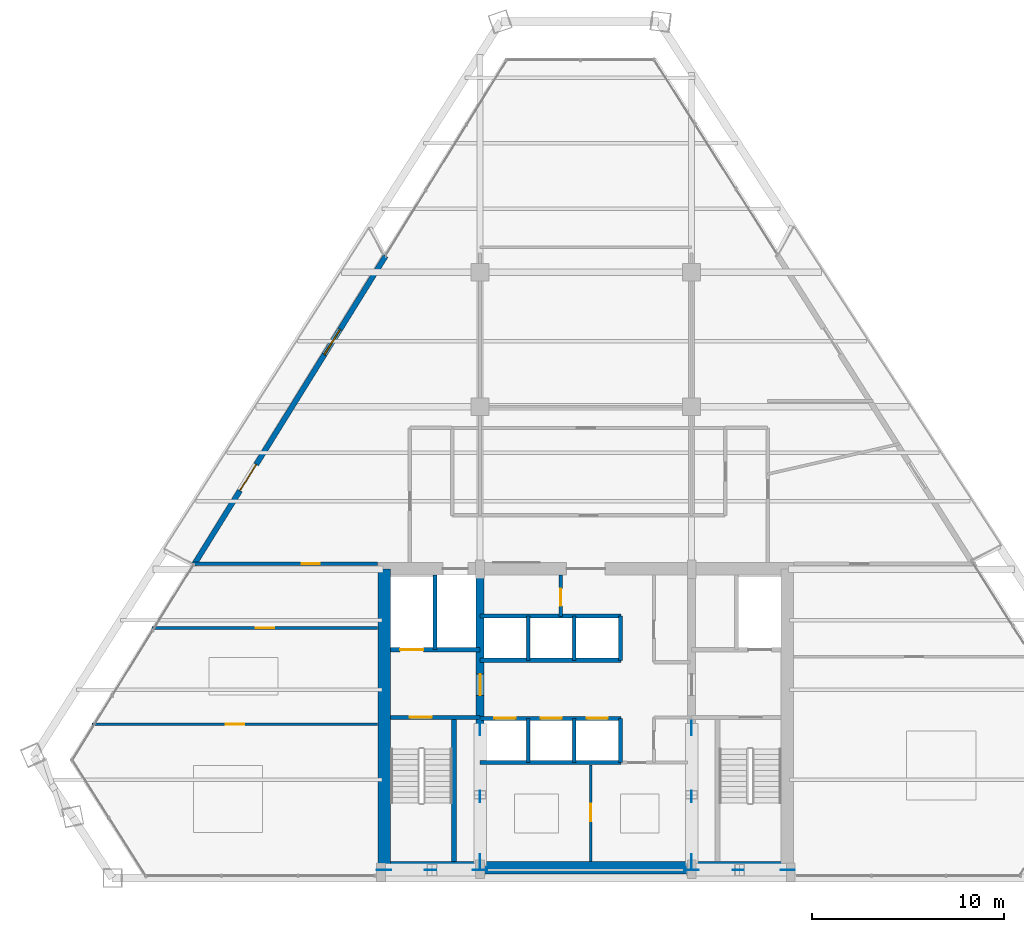
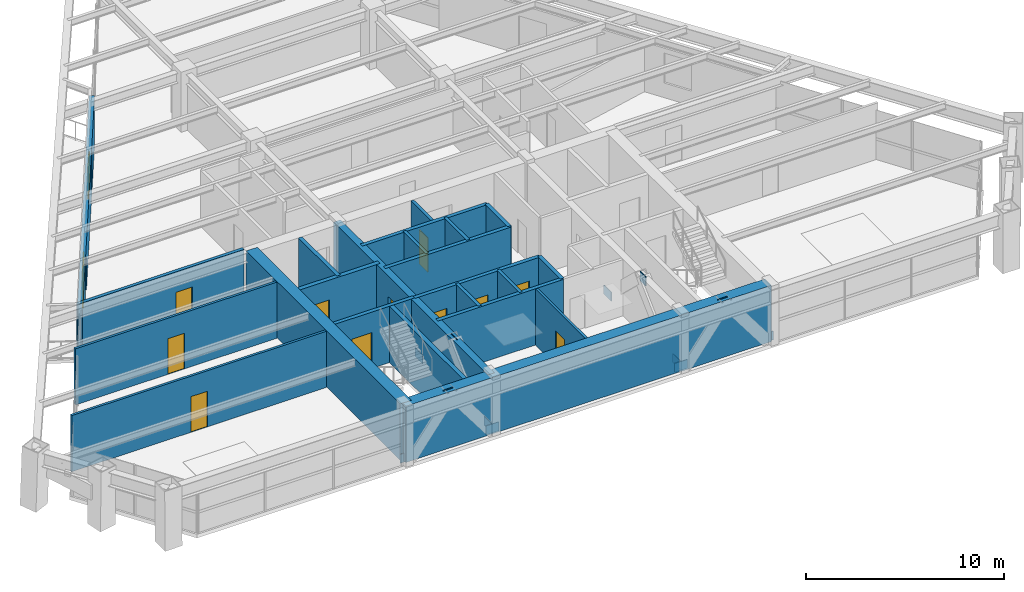
# One storey, part 11 of 15: 23 walls, 12 doors, 12 plates, 1 window, 13 openings.
"""IFC4 building model written with IfcOpenShell, lengths in metres."""

import ifcopenshell
import ifcopenshell.guid

model = None  # the IFC model being written
_history = None  # IfcOwnerHistory: only IFC2X3 demands one
_inside = {}  # id of a spatial element -> (the spatial element, [elements in it])
_under = {}  # id of a project, library or spatial element -> (it, [spatial elements below it])
_declared = {}  # id of a project -> (the project, [libraries it declares])
_typed = {}  # id of a type object -> (the type object, [elements of that type])
_made_of = {}  # id of a material, layer set ... -> (it, [elements and type objects made of it])


def new_model(schema):
    """Start an empty IFC model of exactly this schema.

    Asked for "IFC4X3", IfcOpenShell would pick the latest addendum, in which some entities
    have other attributes; the version numbers below select the first issue.
    IFC2X3 requires an IfcOwnerHistory on every rooted entity: one is made here for all.
    """
    global model, _history
    if schema == "IFC4X3":
        model = ifcopenshell.file(schema_version=(4, 3, 0, 0))
    else:
        model = ifcopenshell.file(schema=schema)
    _inside.clear()
    _under.clear()
    _declared.clear()
    _typed.clear()
    _made_of.clear()
    _history = None
    if model.schema == "IFC2X3":
        org = make("IfcOrganization", Name="unknown")
        user = make(
            "IfcPersonAndOrganization",
            ThePerson=make("IfcPerson", FamilyName="unknown"),
            TheOrganization=org,
        )
        app = make(
            "IfcApplication",
            ApplicationDeveloper=org,
            Version="unknown",
            ApplicationFullName="unknown",
            ApplicationIdentifier="unknown",
        )
        _history = make(
            "IfcOwnerHistory",
            OwningUser=user,
            OwningApplication=app,
            ChangeAction="ADDED",
            CreationDate=0,
        )
    return model


def make(cls, **values):
    """One entity of the class cls with the attributes given. An attribute that is None is left unset."""
    return model.create_entity(
        cls, **{name: value for name, value in values.items() if value is not None}
    )


def rooted(cls, **values):
    """An entity with a GlobalId (a new one), such as an element, a storey or a relation."""
    return make(cls, GlobalId=ifcopenshell.guid.new(), OwnerHistory=_history, **values)


def si_unit(unit_type, name, prefix=None):
    """IfcSIUnit, for example si_unit("LENGTHUNIT", "METRE", prefix="MILLI")."""
    return make("IfcSIUnit", UnitType=unit_type, Prefix=prefix, Name=name)


def assignment(units):
    """IfcUnitAssignment: the units of a project."""
    return None if units is None else make("IfcUnitAssignment", Units=units)


def point(xyz):
    """IfcCartesianPoint."""
    return None if xyz is None else make("IfcCartesianPoint", Coordinates=xyz)


def direction(xyz):
    """IfcDirection."""
    return None if xyz is None else make("IfcDirection", DirectionRatios=xyz)


def frame(location, z_axis=None, x_axis=None):
    """IfcAxis2Placement3D, a coordinate frame: its origin and axes. An axis left out is left unset."""
    return make(
        "IfcAxis2Placement3D",
        Location=point(location),
        Axis=direction(z_axis),
        RefDirection=direction(x_axis),
    )


def frame_2d(location, x_axis=None):
    """IfcAxis2Placement2D, a coordinate frame in the plane: its origin and x axis."""
    return make(
        "IfcAxis2Placement2D", Location=point(location), RefDirection=direction(x_axis)
    )


def origin():
    """The frame at (0, 0, 0) with its axes left unset."""
    return frame((0.0, 0.0, 0.0))


def origin_2d():
    """The frame at (0, 0) in the plane with its x axis left unset."""
    return frame_2d((0.0, 0.0))


def place(relative_to, where):
    """IfcLocalPlacement: puts the frame where relative to a parent placement (None: the world)."""
    return make(
        "IfcLocalPlacement", PlacementRelTo=relative_to, RelativePlacement=where
    )


def context(
    kind, dimensions, precision=None, world=None, true_north=None, identifier=None
):
    """IfcGeometricRepresentationContext, for example the 3D "Model" context."""
    return make(
        "IfcGeometricRepresentationContext",
        ContextIdentifier=identifier,
        ContextType=kind,
        CoordinateSpaceDimension=dimensions,
        Precision=precision,
        WorldCoordinateSystem=world,
        TrueNorth=true_north,
    )


def subcontext(parent, identifier, kind, view, scale=None):
    """IfcGeometricRepresentationSubContext, for example "Body" below "Model"."""
    return make(
        "IfcGeometricRepresentationSubContext",
        ContextIdentifier=identifier,
        ContextType=kind,
        ParentContext=parent,
        TargetScale=scale,
        TargetView=view,
    )


def project(units=None, contexts=None):
    """IfcProject with its units and contexts."""
    return rooted(
        "IfcProject",
        Name="project",
        RepresentationContexts=contexts,
        UnitsInContext=assignment(units),
    )


def spatial(cls, under=None, at=None, **own):
    """A site, building, storey or space (cls), placed at a placement, below another one or the project."""
    s = rooted(cls, ObjectPlacement=at, **own)
    if under is not None:
        _under.setdefault(under.id(), (under, []))[1].append(s)
    return s


def profile(cls, at=None, kind="AREA", **sizes):
    """A parametric profile (cls). Its sizes go by their IFC names, for example OverallWidth=200.0."""
    return make(cls, ProfileType=kind, Position=at, **sizes)


def rectangle(**sizes):
    """IfcRectangleProfileDef."""
    return profile("IfcRectangleProfileDef", **sizes)


def extrude(swept, where, along, depth):
    """IfcExtrudedAreaSolid: the profile swept, set in the frame where, extruded along a direction by depth."""
    return make(
        "IfcExtrudedAreaSolid",
        SweptArea=swept,
        Position=where,
        ExtrudedDirection=direction(along),
        Depth=depth,
    )


def shape(context_of_items, identifier, shape_type, items):
    """IfcShapeRepresentation: the items that make up one representation, for example the "Body"."""
    return make(
        "IfcShapeRepresentation",
        ContextOfItems=context_of_items,
        RepresentationIdentifier=identifier,
        RepresentationType=shape_type,
        Items=items,
    )


def source(mapping_origin, context_of_items, identifier, shape_type, items):
    """IfcRepresentationMap: a shape defined once, which mapped items show again and again."""
    return make(
        "IfcRepresentationMap",
        MappingOrigin=mapping_origin,
        MappedRepresentation=shape(context_of_items, identifier, shape_type, items),
    )


def transform(
    local_origin,
    x_axis=None,
    y_axis=None,
    z_axis=None,
    scale=None,
    scale2=None,
    scale3=None,
    uniform=True,
):
    """IfcCartesianTransformationOperator3D, or its non-uniform kind. x_axis, y_axis, z_axis: its Axis1, 2, 3."""
    if uniform:
        return make(
            "IfcCartesianTransformationOperator3D",
            Axis1=direction(x_axis),
            Axis2=direction(y_axis),
            LocalOrigin=point(local_origin),
            Scale=scale,
            Axis3=direction(z_axis),
        )
    return make(
        "IfcCartesianTransformationOperator3DnonUniform",
        Axis1=direction(x_axis),
        Axis2=direction(y_axis),
        LocalOrigin=point(local_origin),
        Scale=scale,
        Axis3=direction(z_axis),
        Scale2=scale2,
        Scale3=scale3,
    )


def mapped(mapping_source, mapping_target):
    """IfcMappedItem: shows the shape of a source again, moved by a transform."""
    return make(
        "IfcMappedItem", MappingSource=mapping_source, MappingTarget=mapping_target
    )


def material(Name=None, Category=None):
    """IfcMaterial."""
    return make("IfcMaterial", Name=Name, Category=Category)


def layer(
    of_material, thickness, ventilated=None, Name=None, Category=None, Priority=None
):
    """IfcMaterialLayer: one layer of a wall or slab, of a material (None: an air gap)."""
    return make(
        "IfcMaterialLayer",
        Material=of_material,
        LayerThickness=thickness,
        IsVentilated=ventilated,
        Name=Name,
        Category=Category,
        Priority=Priority,
    )


def layer_set(layers, Name=None):
    """IfcMaterialLayerSet."""
    return make("IfcMaterialLayerSet", MaterialLayers=layers, LayerSetName=Name)


def made_of(thing, what):
    """Note that an element or type object is made of a material, layer set ...; save() writes the relation."""
    if what is not None:
        _made_of.setdefault(what.id(), (what, []))[1].append(thing)
    return thing


def type_object(cls, material=None, **own):
    """A type object (cls), such as IfcWallType, which elements share."""
    return made_of(rooted(cls, **own), material)


def type_shapes(of_type, sources):
    """Give a type object the sources (RepresentationMaps) that its elements show as mapped items."""
    of_type.RepresentationMaps = sources


def element(
    cls,
    number,
    at=None,
    inside=None,
    cuts=None,
    type_object=None,
    material=None,
    context=None,
    identifier="Body",
    shape_type=None,
    held_by="IfcProductDefinitionShape",
    body=None,
    shapes=None,
    **own,
):
    """One element of the class cls, such as IfcWall. Its Tag is "e" and its number.

    at: its placement. inside: the storey or other place that contains it. cuts: it is an
    opening in that element (IfcRelVoidsElement). A single representation is given by context,
    identifier, shape_type and body (its items); several are given by shapes. held_by: the class
    of the entity that holds the representations. save() writes the other relations.
    """
    e = rooted(cls, Tag="e%d" % number, ObjectPlacement=at, **own)
    if body is not None:
        shapes = [shape(context, identifier, shape_type, body)]
    if shapes is not None:
        e.Representation = make(held_by, Representations=shapes)
    if inside is not None:
        _inside.setdefault(inside.id(), (inside, []))[1].append(e)
    if cuts is not None:
        rooted(
            "IfcRelVoidsElement", RelatingBuildingElement=cuts, RelatedOpeningElement=e
        )
    if type_object is not None:
        _typed.setdefault(type_object.id(), (type_object, []))[1].append(e)
    return made_of(e, material)


def fill(opening, filler):
    """IfcRelFillsElement: the door or window that sits in an opening."""
    return rooted(
        "IfcRelFillsElement",
        RelatingOpeningElement=opening,
        RelatedBuildingElement=filler,
    )


def aggregate(whole, parts):
    """IfcRelAggregates: a whole, such as a stair, and the parts it consists of."""
    return rooted("IfcRelAggregates", RelatingObject=whole, RelatedObjects=parts)


def save(model, path):
    """Write the relations noted so far, then the file.

    IfcRelAggregates (storeys below a building ...), IfcRelContainedInSpatialStructure (elements
    in a storey), IfcRelDefinesByType, IfcRelAssociatesMaterial and IfcRelDeclares: one each for
    every whole, place, type object, material and project.
    """
    for whole, parts in _under.values():
        aggregate(whole, parts)
    for where, things in _inside.values():
        rooted(
            "IfcRelContainedInSpatialStructure",
            RelatedElements=things,
            RelatingStructure=where,
        )
    for kind, things in _typed.values():
        rooted("IfcRelDefinesByType", RelatedObjects=things, RelatingType=kind)
    for what, things in _made_of.values():
        rooted("IfcRelAssociatesMaterial", RelatedObjects=things, RelatingMaterial=what)
    for by, libraries in _declared.values():
        rooted("IfcRelDeclares", RelatingContext=by, RelatedDefinitions=libraries)
    model.write(path)


model = new_model("IFC4")

# Units and contexts
model_context = context("Model", 3, precision=1e-05, world=origin(), true_north=direction((0.0, 1.0)))
body_context = subcontext(model_context, "Body", "Model", "MODEL_VIEW")
ifc_project = project(units=[si_unit("LENGTHUNIT", "METRE"), si_unit("AREAUNIT", "SQUARE_METRE"), si_unit("VOLUMEUNIT", "CUBIC_METRE"), si_unit("PLANEANGLEUNIT", "RADIAN"), si_unit("MASSUNIT", "GRAM", prefix="KILO")], contexts=[model_context])

# Site, building, storey
site_placement = place(None, origin())
site = spatial("IfcSite", under=ifc_project, at=site_placement, CompositionType="ELEMENT")
building_placement = place(site_placement, origin())
building = spatial("IfcBuilding", under=site, at=building_placement, Name="Varnakhor Terracotta Tower", CompositionType="ELEMENT")
storey_placement = place(building_placement, frame((0.0, 0.0, 185.800048828125)))
storey = spatial("IfcBuildingStorey", under=building, at=storey_placement, Name="L47", CompositionType="ELEMENT", Elevation=185.800048828125)

# Plates
ifc_material_1 = material(Name="Steel S460", Category="steel")
ifc_layer_1 = layer(ifc_material_1, 0.050048828125, Name="Steel S460")
ifc_layer_set_1 = layer_set([ifc_layer_1], Name="Steel S460")
plate_type = type_object("IfcPlateType", Name="PLT-GUSSET-50", PredefinedType="USERDEFINED", material=ifc_layer_set_1)
shared_shape_1 = source(origin(), body_context, "Body", "SweptSolid", [
    extrude(rectangle(XDim=0.75, YDim=0.0400390625, at=origin_2d()), origin(), (0.0, 0.0, 1.0), 0.550048828125),
])
type_shapes(plate_type, [shared_shape_1])
for number, where, z_axis, x_axis, name in (
    (1, (-10.5, 0.419921875, -0.09521484375), (0.0, 0.0, 1.0), (1.0, 0.0, 0.0), "L47 Core Brace Embed Plate CSWA"),
    (2, (-5.5, 0.419921875, -0.09521484375), (0.0, 0.0, 1.0), (1.0, 0.0, 0.0), "L47 Core Brace Embed Plate CSWB"),
    (3, (5.5, 0.419921875, -0.09521484375), (0.0, 0.0, 1.0), (1.0, 0.0, 0.0), "L47 Core Brace Embed Plate CSEA"),
    (4, (10.5, 0.419921875, -0.09521484375), (0.0, 0.0, 1.0), (1.0, 0.0, 0.0), "L47 Core Brace Embed Plate CSEB"),
    (5, (-5.5, 0.85009765625, -0.09521484375), (0.0, 0.0, 1.0), (0.0, 1.0, 0.0), "L47 Core Brace Embed Plate CWWA"),
    (6, (-5.5, 7.800048828125, -0.09521484375), (0.0, 0.0, 1.0), (0.0, 1.0, 0.0), "L47 Core Brace Embed Plate CWWB"),
    (7, (5.5, 0.85009765625, -0.09521484375), (0.0, 0.0, 1.0), (0.0, 1.0, 0.0), "L47 Core Brace Embed Plate CWEA"),
    (8, (5.5, 7.800048828125, -0.09521484375), (0.0, 0.0, 1.0), (0.0, 1.0, 0.0), "L47 Core Brace Embed Plate CWEB"),
):
    element("IfcPlate", number, at=place(storey_placement, frame(where, z_axis=z_axis, x_axis=x_axis)), inside=storey, type_object=plate_type, Name=name, ObjectType="GUSSET PLATE", PredefinedType="USERDEFINED", context=body_context, shape_type="MappedRepresentation", body=[
        mapped(shared_shape_1, transform((0.0, 0.0, 0.0), scale=1.0)),
    ])
shared_shape_2 = source(origin(), body_context, "Body", "SweptSolid", [
    extrude(rectangle(XDim=0.580078125, YDim=0.0400390625, at=origin_2d()), origin(), (0.0, 0.0, 1.0), 0.580078125),
])
for number, where, z_axis, x_axis, name in (
    (9, (-8.072265625, 0.419921875, 2.93408203125), (0.0, 0.0, 1.0), (1.0, 0.0, 0.0), "L47 Brace End Connection Plate 180"),
    (10, (7.927734375, 0.419921875, 2.93408203125), (0.0, 0.0, 1.0), (1.0, 0.0, 0.0), "L47 Brace End Connection Plate 181"),
    (11, (-5.5, 4.23828125, 2.947021484375), (0.0, 0.0, 1.0), (0.0, 1.0, 0.0), "L47 Brace End Connection Plate 182"),
    (12, (5.5, 4.23828125, 2.947021484375), (0.0, 0.0, 1.0), (0.0, 1.0, 0.0), "L47 Brace End Connection Plate 183"),
):
    element("IfcPlate", number, at=place(storey_placement, frame(where, z_axis=z_axis, x_axis=x_axis)), inside=storey, type_object=plate_type, Name=name, ObjectType="GUSSET PLATE", PredefinedType="USERDEFINED", context=body_context, shape_type="MappedRepresentation", body=[
        mapped(shared_shape_2, transform((0.0, 0.0, 0.0), scale=1.0)),
    ])

# Walls
ifc_material_2 = material(Name="Concrete C50/60", Category="concrete")
ifc_layer_2 = layer(ifc_material_2, 0.64990234375, Name="Concrete C50/60")
ifc_layer_set_2 = layer_set([ifc_layer_2], Name="Concrete C50/60")
wall_type_1 = type_object("IfcWallType", Name="WAL-CORE-650", PredefinedType="SHEAR", material=ifc_layer_set_2)
wall_1_placement = place(storey_placement, frame((-10.64990234375, 0.52490234375, 0.0), z_axis=(0.0, 0.0, 1.0), x_axis=(1.0, 0.0, 0.0)))
element("IfcWall", 13, at=wall_1_placement, inside=storey, type_object=wall_type_1, Name="L47 South Core Shear Wall", PredefinedType="SHEAR", context=body_context, shape_type="SweptSolid", body=[
    extrude(rectangle(XDim=21.2998046875, YDim=0.64990234375, at=frame_2d((10.64990234375, 0.0))), origin(), (0.0, 0.0, 1.0), 3.469970703125),
])
wall_2_placement = place(storey_placement, frame((-10.47509765625, 0.52490234375, 0.0), z_axis=(0.0, 0.0, 1.0), x_axis=(0.0, 1.0, 0.0)))
element("IfcWall", 14, at=wall_2_placement, inside=storey, type_object=wall_type_1, Name="L47 West Core Shear Wall", PredefinedType="SHEAR", context=body_context, shape_type="SweptSolid", body=[
    extrude(rectangle(XDim=15.550048828125, YDim=0.64990234375, at=frame_2d((7.77490234375, 0.0))), origin(), (0.0, 0.0, 1.0), 3.469970703125),
])

# Wall, opening, door
ifc_layer_3 = layer(ifc_material_2, 0.39990234375, Name="Concrete C50/60")
ifc_layer_set_3 = layer_set([ifc_layer_3], Name="Concrete C50/60")
wall_type_2 = type_object("IfcWallType", Name="WAL-CORE-WEB-400", PredefinedType="SHEAR", material=ifc_layer_set_3)
wall_3_placement = place(storey_placement, frame((-5.5, 0.52490234375, 0.0), z_axis=(0.0, 0.0, 1.0), x_axis=(0.0, 1.0, 0.0)))
wall_3 = element("IfcWall", 15, at=wall_3_placement, inside=storey, type_object=wall_type_2, Name="L47 West Core Web Shear Wall", PredefinedType="SHEAR", context=body_context, shape_type="SweptSolid", body=[
    extrude(rectangle(XDim=15.550048828125, YDim=0.39990234375, at=frame_2d((7.77490234375, 0.0))), origin(), (0.0, 0.0, 1.0), 3.469970703125),
])
opening_1_placement = place(wall_3_placement, frame((8.97509765625, 0.0, 0.0)))
opening_1 = element("IfcOpeningElement", 16, at=opening_1_placement, cuts=wall_3, Name="Opening DR-25", PredefinedType="OPENING", context=body_context, shape_type="SweptSolid", body=[
    extrude(rectangle(XDim=1.10009765625, YDim=2.199951171875, at=frame_2d((0.550048828125, 1.10009765625))), frame((0.0, 0.2099609375, 0.0), z_axis=(0.0, -1.0, 0.0), x_axis=(1.0, 0.0, 0.0)), (0.0, 0.0, 1.0), 0.419921875),
])
ifc_material_3 = material(Name="Firefighting Lobby Self-Closing Fire Door", Category="steel")
door_type_1 = type_object("IfcDoorType", Name="DR-FFL-1100X2200", OperationType="NOTDEFINED", PredefinedType="DOOR", material=ifc_material_3)
shared_shape_3 = source(origin(), body_context, "Body", "SweptSolid", [
    extrude(rectangle(XDim=1.10009765625, YDim=2.199951171875, at=frame_2d((0.550048828125, 1.10009765625))), frame((0.0, 0.02490234375, 0.0), z_axis=(0.0, -1.0, 0.0), x_axis=(1.0, 0.0, 0.0)), (0.0, 0.0, 1.0), 0.050048828125),
])
type_shapes(door_type_1, [shared_shape_3])
door_1_placement = place(opening_1_placement, origin())
door_1 = element("IfcDoor", 17, at=door_1_placement, inside=storey, type_object=door_type_1, Name="L47 West Firefighting Lobby Door", OperationType="SINGLE_SWING_LEFT", OverallHeight=2.199951171875, OverallWidth=1.10009765625, PredefinedType="DOOR", context=body_context, shape_type="MappedRepresentation", body=[
    mapped(shared_shape_3, transform((0.0, 0.0, 0.0), scale=1.0)),
])
fill(opening_1, door_1)

ifc_material_4 = material(Name="Fire-Rated Gypsum Stud Partition", Category="gypsum")
ifc_layer_4 = layer(ifc_material_4, 0.18505859375, Name="Fire-Rated Gypsum Stud Partition")
ifc_layer_set_4 = layer_set([ifc_layer_4], Name="Fire-Rated Gypsum Stud Partition")
wall_type_3 = type_object("IfcWallType", Name="WAL-CORR-185", PredefinedType="PARTITIONING", material=ifc_layer_set_4)
wall_4_placement = place(storey_placement, frame((-20.486083984375, 16.35009765625, 0.0), z_axis=(0.0, 0.0, 1.0), x_axis=(1.0, 0.0, 0.0)))
wall_4 = element("IfcWall", 18, at=wall_4_placement, inside=storey, type_object=wall_type_3, Name="L47 South West Entry Wall", PredefinedType="PARTITIONING", context=body_context, shape_type="SweptSolid", body=[
    extrude(rectangle(XDim=9.666015625, YDim=0.18505859375, at=frame_2d((4.8330078125, 0.0))), origin(), (0.0, 0.0, 1.0), 3.4619140625),
])
opening_2_placement = place(wall_4_placement, frame((5.7060546875, 0.0, 0.0)))
opening_2 = element("IfcOpeningElement", 19, at=opening_2_placement, cuts=wall_4, Name="Opening DR-94", PredefinedType="OPENING", context=body_context, shape_type="SweptSolid", body=[
    extrude(rectangle(XDim=0.949951171875, YDim=2.199951171875, at=frame_2d((0.47509765625, 1.10009765625))), frame((0.0, 0.1025390625, 0.0), z_axis=(0.0, -1.0, 0.0), x_axis=(1.0, 0.0, 0.0)), (0.0, 0.0, 1.0), 0.205078125),
])
ifc_material_5 = material(Name="Acoustic Glazed-Vision Timber Office Door", Category="wood")
door_type_2 = type_object("IfcDoorType", Name="DR-OFF-950X2200", OperationType="NOTDEFINED", PredefinedType="DOOR", material=ifc_material_5)
shared_shape_4 = source(origin(), body_context, "Body", "SweptSolid", [
    extrude(rectangle(XDim=0.949951171875, YDim=2.199951171875, at=frame_2d((0.47509765625, 1.10009765625))), frame((0.0, 0.02490234375, 0.0), z_axis=(0.0, -1.0, 0.0), x_axis=(1.0, 0.0, 0.0)), (0.0, 0.0, 1.0), 0.050048828125),
])
type_shapes(door_type_2, [shared_shape_4])
door_2_placement = place(opening_2_placement, origin())
door_2 = element("IfcDoor", 20, at=door_2_placement, inside=storey, type_object=door_type_2, Name="L47 SW Suite Door", OperationType="SINGLE_SWING_RIGHT", OverallHeight=2.199951171875, OverallWidth=0.949951171875, PredefinedType="DOOR", context=body_context, shape_type="MappedRepresentation", body=[
    mapped(shared_shape_4, transform((0.0, 0.0, 0.0), scale=1.0)),
])
fill(opening_2, door_2)

# Wall, openings, door, window
ifc_material_6 = material(Name="Extruded Architectural Terracotta Assembly", Category="masonry")
ifc_layer_5 = layer(ifc_material_6, 0.280029296875, Name="Extruded Architectural Terracotta Assembly")
ifc_layer_set_5 = layer_set([ifc_layer_5], Name="Extruded Architectural Terracotta Assembly")
wall_type_4 = type_object("IfcWallType", Name="WAL-EXT-TERRACOTTA-280", PredefinedType="SOLIDWALL", material=ifc_layer_set_5)
wall_5_placement = place(storey_placement, frame((-20.373046875, 16.285888671875, 0.0), z_axis=(0.0, 0.0, 1.0), x_axis=(0.527368326654, 0.849636774182, 0.0)))
wall_5 = element("IfcWall", 21, at=wall_5_placement, inside=storey, type_object=wall_type_4, Name="L47 W Loggia Insulated Terracotta Wall", PredefinedType="SOLIDWALL", context=body_context, shape_type="SweptSolid", body=[
    extrude(rectangle(XDim=18.905029296875, YDim=0.280029296875, at=frame_2d((9.45263671875, 0.0))), origin(), (0.0, 0.0, 1.0), 3.050048828125),
])
opening_3_placement = place(wall_5_placement, frame((4.537109375, 0.0, 0.0)))
opening_3 = element("IfcOpeningElement", 22, at=opening_3_placement, cuts=wall_5, Name="Opening DR-62", PredefinedType="OPENING", context=body_context, shape_type="SweptSolid", body=[
    extrude(rectangle(XDim=1.60009765625, YDim=2.35009765625, at=frame_2d((0.800048828125, 1.175048828125))), frame((0.0, 0.14990234375, 0.0), z_axis=(0.0, -1.0, 0.0), x_axis=(1.0, 0.0, 0.0)), (0.0, 0.0, 1.0), 0.300048828125),
])
opening_4_placement = place(wall_5_placement, frame((12.85546875, 0.0, 0.89990234375)))
opening_4 = element("IfcOpeningElement", 23, at=opening_4_placement, cuts=wall_5, Name="Opening WN-57", PredefinedType="OPENING", context=body_context, shape_type="SweptSolid", body=[
    extrude(rectangle(XDim=1.550048828125, YDim=1.85009765625, at=frame_2d((0.77490234375, 0.925048828125))), frame((0.0, 0.14990234375, 0.0), z_axis=(0.0, -1.0, 0.0), x_axis=(1.0, 0.0, 0.0)), (0.0, 0.0, 1.0), 0.300048828125),
])
ifc_material_7 = material(Name="Thermally Broken Sliding Glass Loggia Door", Category="glass")
door_type_3 = type_object("IfcDoorType", Name="DR-EXT-LOGGIA-1600X2350", OperationType="NOTDEFINED", PredefinedType="DOOR", material=ifc_material_7)
shared_shape_5 = source(origin(), body_context, "Body", "SweptSolid", [
    extrude(rectangle(XDim=1.60009765625, YDim=2.35009765625, at=frame_2d((0.800048828125, 1.175048828125))), frame((0.0, 0.02490234375, 0.0), z_axis=(0.0, -1.0, 0.0), x_axis=(1.0, 0.0, 0.0)), (0.0, 0.0, 1.0), 0.050048828125),
])
type_shapes(door_type_3, [shared_shape_5])
door_3_placement = place(opening_3_placement, origin())
door_3 = element("IfcDoor", 24, at=door_3_placement, inside=storey, type_object=door_type_3, Name="L47 W Recessed Loggia Sliding Door", OperationType="SLIDING_TO_LEFT", OverallHeight=2.35009765625, OverallWidth=1.60009765625, PredefinedType="DOOR", context=body_context, shape_type="MappedRepresentation", body=[
    mapped(shared_shape_5, transform((0.0, 0.0, 0.0), scale=1.0)),
])
fill(opening_3, door_3)
ifc_material_8 = material(Name="Solar-Control Low-E Insulated Glass Unit", Category="glass")
window_type = type_object("IfcWindowType", Name="WIN-OFF-1650X2100", PartitioningType="SINGLE_PANEL", PredefinedType="WINDOW", material=ifc_material_8)
shared_shape_6 = source(origin(), body_context, "Body", "SweptSolid", [
    extrude(rectangle(XDim=1.550048828125, YDim=1.85009765625, at=frame_2d((0.77490234375, 0.925048828125))), frame((0.0, 0.030029296875, 0.0), z_axis=(0.0, -1.0, 0.0), x_axis=(1.0, 0.0, 0.0)), (0.0, 0.0, 1.0), 0.06005859375),
])
type_shapes(window_type, [shared_shape_6])
window_placement = place(opening_4_placement, origin())
window = element("IfcWindow", 25, at=window_placement, inside=storey, type_object=window_type, Name="L47 W Facet Punched Window", OverallHeight=1.85009765625, OverallWidth=1.550048828125, PartitioningType="SINGLE_PANEL", PredefinedType="WINDOW", context=body_context, shape_type="MappedRepresentation", body=[
    mapped(shared_shape_6, transform((0.0, 0.0, 0.0), scale=1.0)),
])
fill(opening_4, window)

# Wall, opening, door
ifc_material_9 = material(Name="Concrete C40/50", Category="concrete")
ifc_layer_6 = layer(ifc_material_9, 0.219970703125, Name="Concrete C40/50")
ifc_layer_set_6 = layer_set([ifc_layer_6], Name="Concrete C40/50")
wall_type_5 = type_object("IfcWallType", Name="WAL-FFLOBBY-220", PredefinedType="SOLIDWALL", material=ifc_layer_set_6)
wall_6_placement = place(storey_placement, frame((-5.5, 8.35009765625, 0.0), z_axis=(0.0, 0.0, 1.0), x_axis=(-1.0, 0.0, 0.0)))
wall_6 = element("IfcWall", 26, at=wall_6_placement, inside=storey, type_object=wall_type_5, Name="L47 West Firefighting Lobby Stair Wall", PredefinedType="SOLIDWALL", context=body_context, shape_type="SweptSolid", body=[
    extrude(rectangle(XDim=4.64990234375, YDim=0.219970703125, at=frame_2d((2.324951171875, 0.0))), origin(), (0.0, 0.0, 1.0), 3.469970703125),
])
opening_5_placement = place(wall_6_placement, frame((2.5, 0.0, 0.0)))
opening_5 = element("IfcOpeningElement", 27, at=opening_5_placement, cuts=wall_6, Name="Opening DR-34", PredefinedType="OPENING", context=body_context, shape_type="SweptSolid", body=[
    extrude(rectangle(XDim=1.14990234375, YDim=2.199951171875, at=frame_2d((0.574951171875, 1.10009765625))), frame((0.0, 0.1201171875, 0.0), z_axis=(0.0, -1.0, 0.0), x_axis=(1.0, 0.0, 0.0)), (0.0, 0.0, 1.0), 0.239990234375),
])
ifc_material_10 = material(Name="Self-Closing Smoke-Sealed Steel Fire Door", Category="steel")
door_type_4 = type_object("IfcDoorType", Name="DR-STAIR-1150X2200", OperationType="NOTDEFINED", PredefinedType="DOOR", material=ifc_material_10)
shared_shape_7 = source(origin(), body_context, "Body", "SweptSolid", [
    extrude(rectangle(XDim=1.14990234375, YDim=2.199951171875, at=frame_2d((0.574951171875, 1.10009765625))), frame((0.0, 0.02490234375, 0.0), z_axis=(0.0, -1.0, 0.0), x_axis=(1.0, 0.0, 0.0)), (0.0, 0.0, 1.0), 0.050048828125),
])
type_shapes(door_type_4, [shared_shape_7])
door_4_placement = place(opening_5_placement, origin())
door_4 = element("IfcDoor", 28, at=door_4_placement, inside=storey, type_object=door_type_4, Name="L47 Exit Stair ST-1 Fire Door", OperationType="SINGLE_SWING_RIGHT", OverallHeight=2.199951171875, OverallWidth=1.14990234375, PredefinedType="DOOR", context=body_context, shape_type="MappedRepresentation", body=[
    mapped(shared_shape_7, transform((0.0, 0.0, 0.0), scale=1.0)),
])
fill(opening_5, door_4)

ifc_material_11 = material(Name="Acoustic Metal-Stud Partition", Category="gypsum")
ifc_layer_7 = layer(ifc_material_11, 0.139892578125, Name="Acoustic Metal-Stud Partition")
ifc_layer_set_7 = layer_set([ifc_layer_7], Name="Acoustic Metal-Stud Partition")
wall_type_6 = type_object("IfcWallType", Name="WAL-PART-140", PredefinedType="PARTITIONING", material=ifc_layer_set_7)
wall_7_placement = place(storey_placement, frame((-25.669189453125, 8.0, 0.0), z_axis=(0.0, 0.0, 1.0), x_axis=(1.0, 0.0, 0.0)))
wall_7 = element("IfcWall", 29, at=wall_7_placement, inside=storey, type_object=wall_type_6, Name="L47 West Wing Cut 1", PredefinedType="PARTITIONING", context=body_context, shape_type="SweptSolid", body=[
    extrude(rectangle(XDim=14.84912109375, YDim=0.139892578125, at=frame_2d((7.424560546875, 0.0))), origin(), (0.0, 0.0, 1.0), 3.4619140625),
])
opening_6_placement = place(wall_7_placement, frame((6.955810546875, 0.0, 0.0)))
opening_6 = element("IfcOpeningElement", 30, at=opening_6_placement, cuts=wall_7, Name="Opening DR-94", PredefinedType="OPENING", context=body_context, shape_type="SweptSolid", body=[
    extrude(rectangle(XDim=0.949951171875, YDim=2.199951171875, at=frame_2d((0.47509765625, 1.10009765625))), frame((0.0, 0.080078125, 0.0), z_axis=(0.0, -1.0, 0.0), x_axis=(1.0, 0.0, 0.0)), (0.0, 0.0, 1.0), 0.159912109375),
])
door_5_placement = place(opening_6_placement, origin())
door_5 = element("IfcDoor", 31, at=door_5_placement, inside=storey, type_object=door_type_2, Name="L47 Corporate Office 1 Door", OperationType="SINGLE_SWING_RIGHT", OverallHeight=2.199951171875, OverallWidth=0.949951171875, PredefinedType="DOOR", context=body_context, shape_type="MappedRepresentation", body=[
    mapped(shared_shape_4, transform((0.0, 0.0, 0.0), scale=1.0)),
])
fill(opening_6, door_5)

wall_8_placement = place(storey_placement, frame((-22.565673828125, 13.0, 0.0), z_axis=(0.0, 0.0, 1.0), x_axis=(1.0, 0.0, 0.0)))
wall_8 = element("IfcWall", 32, at=wall_8_placement, inside=storey, type_object=wall_type_6, Name="L47 West Wing Cut 2", PredefinedType="PARTITIONING", context=body_context, shape_type="SweptSolid", body=[
    extrude(rectangle(XDim=11.74560546875, YDim=0.139892578125, at=frame_2d((5.872802734375, 0.0))), origin(), (0.0, 0.0, 1.0), 3.4619140625),
])
opening_7_placement = place(wall_8_placement, frame((5.404052734375, 0.0, 0.0)))
opening_7 = element("IfcOpeningElement", 33, at=opening_7_placement, cuts=wall_8, Name="Opening DR-94", PredefinedType="OPENING", context=body_context, shape_type="SweptSolid", body=[
    extrude(rectangle(XDim=0.949951171875, YDim=2.199951171875, at=frame_2d((0.47509765625, 1.10009765625))), frame((0.0, 0.080078125, 0.0), z_axis=(0.0, -1.0, 0.0), x_axis=(1.0, 0.0, 0.0)), (0.0, 0.0, 1.0), 0.159912109375),
])
door_6_placement = place(opening_7_placement, origin())
door_6 = element("IfcDoor", 34, at=door_6_placement, inside=storey, type_object=door_type_2, Name="L47 Corporate Strategy Office 4 B3 Door", OperationType="SINGLE_SWING_LEFT", OverallHeight=2.199951171875, OverallWidth=0.949951171875, PredefinedType="DOOR", context=body_context, shape_type="MappedRepresentation", body=[
    mapped(shared_shape_4, transform((0.0, 0.0, 0.0), scale=1.0)),
])
fill(opening_7, door_6)

# Walls
ifc_layer_8 = layer(ifc_material_9, 0.179931640625, Name="Concrete C40/50")
ifc_layer_set_8 = layer_set([ifc_layer_8], Name="Concrete C40/50")
wall_type_7 = type_object("IfcWallType", Name="WAL-SHAFT-180", PredefinedType="SOLIDWALL", material=ifc_layer_set_8)
for number, where, z_axis, x_axis, name in (
    (35, (-3.0, 6.0, 0.0), (0.0, 0.0, 1.0), (0.0, 1.0, 0.0), "L47 PL-2A Divider"),
    (36, (-0.60009765625, 6.0, 0.0), (0.0, 0.0, 1.0), (0.0, 1.0, 0.0), "L47 PL-2B Divider"),
    (37, (-3.0, 11.320068359375, 0.0), (0.0, 0.0, 1.0), (0.0, 1.0, 0.0), "L47 PL-3A Divider"),
    (38, (-0.60009765625, 11.320068359375, 0.0), (0.0, 0.0, 1.0), (0.0, 1.0, 0.0), "L47 PL-3B Divider"),
):
    element("IfcWall", number, at=place(storey_placement, frame(where, z_axis=z_axis, x_axis=x_axis)), inside=storey, type_object=wall_type_7, Name=name, PredefinedType="SOLIDWALL", context=body_context, shape_type="SweptSolid", body=[
        extrude(rectangle(XDim=2.300048828125, YDim=0.179931640625, at=frame_2d((1.14990234375, 0.0))), origin(), (0.0, 0.0, 1.0), 3.469970703125),
    ])
ifc_layer_9 = layer(ifc_material_9, 0.219970703125, Name="Concrete C40/50")
ifc_layer_set_9 = layer_set([ifc_layer_9], Name="Concrete C40/50")
wall_type_8 = type_object("IfcWallType", Name="WAL-SHAFT-220", PredefinedType="SOLIDWALL", material=ifc_layer_set_9)
wall_9_placement = place(storey_placement, frame((-7.840087890625, 11.8701171875, 0.0), z_axis=(0.0, 0.0, 1.0), x_axis=(0.0, 1.0, 0.0)))
element("IfcWall", 39, at=wall_9_placement, inside=storey, type_object=wall_type_8, Name="L47 Lift FFL-1 and SVL-1 Divider Wall", PredefinedType="SOLIDWALL", context=body_context, shape_type="SweptSolid", body=[
    extrude(rectangle(XDim=3.8798828125, YDim=0.219970703125, at=frame_2d((1.93994140625, 0.0))), origin(), (0.0, 0.0, 1.0), 3.469970703125),
])
wall_10_placement = place(storey_placement, frame((-5.5, 6.0, 0.0), z_axis=(0.0, 0.0, 1.0), x_axis=(1.0, 0.0, 0.0)))
element("IfcWall", 40, at=wall_10_placement, inside=storey, type_object=wall_type_8, Name="L47 Bank 2 South Shaft Wall", PredefinedType="SOLIDWALL", context=body_context, shape_type="SweptSolid", body=[
    extrude(rectangle(XDim=7.320068359375, YDim=0.219970703125, at=frame_2d((3.66015625, 0.0))), origin(), (0.0, 0.0, 1.0), 3.469970703125),
])

# Wall, openings, doors
wall_11_placement = place(storey_placement, frame((-5.5, 8.300048828125, 0.0), z_axis=(0.0, 0.0, 1.0), x_axis=(1.0, 0.0, 0.0)))
wall_11 = element("IfcWall", 41, at=wall_11_placement, inside=storey, type_object=wall_type_8, Name="L47 Bank 2 North Shaft Wall", PredefinedType="SOLIDWALL", context=body_context, shape_type="SweptSolid", body=[
    extrude(rectangle(XDim=7.320068359375, YDim=0.219970703125, at=frame_2d((3.66015625, 0.0))), origin(), (0.0, 0.0, 1.0), 3.469970703125),
])
opening_8_placement = place(wall_11_placement, frame((0.75, 0.0, 0.0)))
opening_8 = element("IfcOpeningElement", 42, at=opening_8_placement, cuts=wall_11, Name="Opening LD-01", PredefinedType="OPENING", context=body_context, shape_type="SweptSolid", body=[
    extrude(rectangle(XDim=1.10009765625, YDim=2.199951171875, at=frame_2d((0.550048828125, 1.10009765625))), frame((0.0, 0.1201171875, 0.0), z_axis=(0.0, -1.0, 0.0), x_axis=(1.0, 0.0, 0.0)), (0.0, 0.0, 1.0), 0.239990234375),
])
opening_9_placement = place(wall_11_placement, frame((3.14990234375, 0.0, 0.0)))
opening_9 = element("IfcOpeningElement", 43, at=opening_9_placement, cuts=wall_11, Name="Opening LD-01", PredefinedType="OPENING", context=body_context, shape_type="SweptSolid", body=[
    extrude(rectangle(XDim=1.10009765625, YDim=2.199951171875, at=frame_2d((0.550048828125, 1.10009765625))), frame((0.0, 0.1201171875, 0.0), z_axis=(0.0, -1.0, 0.0), x_axis=(1.0, 0.0, 0.0)), (0.0, 0.0, 1.0), 0.239990234375),
])
opening_10_placement = place(wall_11_placement, frame((5.550048828125, 0.0, 0.0)))
opening_10 = element("IfcOpeningElement", 44, at=opening_10_placement, cuts=wall_11, Name="Opening LD-01", PredefinedType="OPENING", context=body_context, shape_type="SweptSolid", body=[
    extrude(rectangle(XDim=1.10009765625, YDim=2.199951171875, at=frame_2d((0.550048828125, 1.10009765625))), frame((0.0, 0.1201171875, 0.0), z_axis=(0.0, -1.0, 0.0), x_axis=(1.0, 0.0, 0.0)), (0.0, 0.0, 1.0), 0.239990234375),
])
ifc_material_12 = material(Name="Brushed Stainless Steel Sliding Lift Landing Door", Category="steel")
door_type_5 = type_object("IfcDoorType", Name="LD-PASS-1100X2200", OperationType="NOTDEFINED", PredefinedType="DOOR", material=ifc_material_12)
shared_shape_8 = source(origin(), body_context, "Body", "SweptSolid", [
    extrude(rectangle(XDim=1.10009765625, YDim=2.199951171875, at=frame_2d((0.550048828125, 1.10009765625))), frame((0.0, 0.02490234375, 0.0), z_axis=(0.0, -1.0, 0.0), x_axis=(1.0, 0.0, 0.0)), (0.0, 0.0, 1.0), 0.050048828125),
])
type_shapes(door_type_5, [shared_shape_8])
door_7_placement = place(opening_8_placement, origin())
door_7 = element("IfcDoor", 45, at=door_7_placement, inside=storey, type_object=door_type_5, Name="L47 Passenger Lift PL-2A Landing Door", OperationType="SLIDING_TO_LEFT", OverallHeight=2.199951171875, OverallWidth=1.10009765625, PredefinedType="DOOR", context=body_context, shape_type="MappedRepresentation", body=[
    mapped(shared_shape_8, transform((0.0, 0.0, 0.0), scale=1.0)),
])
fill(opening_8, door_7)
door_8_placement = place(opening_9_placement, origin())
door_8 = element("IfcDoor", 46, at=door_8_placement, inside=storey, type_object=door_type_5, Name="L47 Passenger Lift PL-2B Landing Door", OperationType="SLIDING_TO_LEFT", OverallHeight=2.199951171875, OverallWidth=1.10009765625, PredefinedType="DOOR", context=body_context, shape_type="MappedRepresentation", body=[
    mapped(shared_shape_8, transform((0.0, 0.0, 0.0), scale=1.0)),
])
fill(opening_9, door_8)
door_9_placement = place(opening_10_placement, origin())
door_9 = element("IfcDoor", 47, at=door_9_placement, inside=storey, type_object=door_type_5, Name="L47 Passenger Lift PL-2C Landing Door", OperationType="SLIDING_TO_LEFT", OverallHeight=2.199951171875, OverallWidth=1.10009765625, PredefinedType="DOOR", context=body_context, shape_type="MappedRepresentation", body=[
    mapped(shared_shape_8, transform((0.0, 0.0, 0.0), scale=1.0)),
])
fill(opening_10, door_9)

# Walls
wall_12_placement = place(storey_placement, frame((1.800048828125, 6.0, 0.0), z_axis=(0.0, 0.0, 1.0), x_axis=(0.0, 1.0, 0.0)))
element("IfcWall", 48, at=wall_12_placement, inside=storey, type_object=wall_type_8, Name="L47 Bank 2 East Shaft Wall", PredefinedType="SOLIDWALL", context=body_context, shape_type="SweptSolid", body=[
    extrude(rectangle(XDim=2.300048828125, YDim=0.219970703125, at=frame_2d((1.14990234375, 0.0))), origin(), (0.0, 0.0, 1.0), 3.469970703125),
])
for number, where, z_axis, x_axis, name in (
    (49, (-5.5, 11.320068359375, 0.0), (0.0, 0.0, 1.0), (1.0, 0.0, 0.0), "L47 Bank 3 South Shaft Wall"),
    (50, (-5.5, 13.6201171875, 0.0), (0.0, 0.0, 1.0), (1.0, 0.0, 0.0), "L47 Bank 3 North Shaft Wall"),
):
    element("IfcWall", number, at=place(storey_placement, frame(where, z_axis=z_axis, x_axis=x_axis)), inside=storey, type_object=wall_type_8, Name=name, PredefinedType="SOLIDWALL", context=body_context, shape_type="SweptSolid", body=[
        extrude(rectangle(XDim=7.320068359375, YDim=0.219970703125, at=frame_2d((3.66015625, 0.0))), origin(), (0.0, 0.0, 1.0), 3.469970703125),
    ])
wall_13_placement = place(storey_placement, frame((1.800048828125, 11.320068359375, 0.0), z_axis=(0.0, 0.0, 1.0), x_axis=(0.0, 1.0, 0.0)))
element("IfcWall", 51, at=wall_13_placement, inside=storey, type_object=wall_type_8, Name="L47 Bank 3 East Shaft Wall", PredefinedType="SOLIDWALL", context=body_context, shape_type="SweptSolid", body=[
    extrude(rectangle(XDim=2.300048828125, YDim=0.219970703125, at=frame_2d((1.14990234375, 0.0))), origin(), (0.0, 0.0, 1.0), 3.469970703125),
])
ifc_layer_10 = layer(ifc_material_9, 0.25, Name="Concrete C40/50")
ifc_layer_set_10 = layer_set([ifc_layer_10], Name="Concrete C40/50")
wall_type_9 = type_object("IfcWallType", Name="WAL-SHAFT-250", PredefinedType="SOLIDWALL", material=ifc_layer_set_10)
wall_14_placement = place(storey_placement, frame((-6.85009765625, 0.85009765625, 0.0), z_axis=(0.0, 0.0, 1.0), x_axis=(0.0, 1.0, 0.0)))
element("IfcWall", 52, at=wall_14_placement, inside=storey, type_object=wall_type_9, Name="L47 Stair ST-1 Bearing Shaft Wall", PredefinedType="SOLIDWALL", context=body_context, shape_type="SweptSolid", body=[
    extrude(rectangle(XDim=7.5, YDim=0.25, at=frame_2d((3.75, 0.0))), origin(), (0.0, 0.0, 1.0), 3.469970703125),
])

# Wall, opening, door
wall_15_placement = place(storey_placement, frame((-5.5, 11.8701171875, 0.0), z_axis=(0.0, 0.0, 1.0), x_axis=(-1.0, 0.0, 0.0)))
wall_15 = element("IfcWall", 53, at=wall_15_placement, inside=storey, type_object=wall_type_9, Name="L47 Lift FFL-1 Shaft Front Wall", PredefinedType="SOLIDWALL", context=body_context, shape_type="SweptSolid", body=[
    extrude(rectangle(XDim=4.64990234375, YDim=0.25, at=frame_2d((2.324951171875, 0.0))), origin(), (0.0, 0.0, 1.0), 3.469970703125),
])
opening_11_placement = place(wall_15_placement, frame((2.949951171875, 0.0, 0.0)))
opening_11 = element("IfcOpeningElement", 54, at=opening_11_placement, cuts=wall_15, Name="Opening LD-02", PredefinedType="OPENING", context=body_context, shape_type="SweptSolid", body=[
    extrude(rectangle(XDim=1.199951171875, YDim=2.25, at=frame_2d((0.60009765625, 1.125))), frame((0.0, 0.135009765625, 0.0), z_axis=(0.0, -1.0, 0.0), x_axis=(1.0, 0.0, 0.0)), (0.0, 0.0, 1.0), 0.27001953125),
])
ifc_material_13 = material(Name="Firefighting Stretcher Sliding Lift Landing Door", Category="steel")
door_type_6 = type_object("IfcDoorType", Name="LD-FFL-1200X2250", OperationType="NOTDEFINED", PredefinedType="DOOR", material=ifc_material_13)
shared_shape_9 = source(origin(), body_context, "Body", "SweptSolid", [
    extrude(rectangle(XDim=1.199951171875, YDim=2.25, at=frame_2d((0.60009765625, 1.125))), frame((0.0, 0.02490234375, 0.0), z_axis=(0.0, -1.0, 0.0), x_axis=(1.0, 0.0, 0.0)), (0.0, 0.0, 1.0), 0.050048828125),
])
type_shapes(door_type_6, [shared_shape_9])
door_10_placement = place(opening_11_placement, origin())
door_10 = element("IfcDoor", 55, at=door_10_placement, inside=storey, type_object=door_type_6, Name="L47 Firefighting Lift FFL-1 Landing Door", OperationType="SLIDING_TO_LEFT", OverallHeight=2.25, OverallWidth=1.199951171875, PredefinedType="DOOR", context=body_context, shape_type="MappedRepresentation", body=[
    mapped(shared_shape_9, transform((0.0, 0.0, 0.0), scale=1.0)),
])
fill(opening_11, door_10)

ifc_material_14 = material(Name="Acoustic Fire-Rated Partition", Category="gypsum")
ifc_layer_11 = layer(ifc_material_14, 0.139892578125, Name="Acoustic Fire-Rated Partition")
ifc_layer_set_11 = layer_set([ifc_layer_11], Name="Acoustic Fire-Rated Partition")
wall_type_10 = type_object("IfcWallType", Name="WAL-TENANCY-140", PredefinedType="PARTITIONING", material=ifc_layer_set_11)
wall_16_placement = place(storey_placement, frame((0.25, 0.85009765625, 0.0), z_axis=(0.0, 0.0, 1.0), x_axis=(0.0, 1.0, 0.0)))
wall_16 = element("IfcWall", 56, at=wall_16_placement, inside=storey, type_object=wall_type_10, Name="L47 Reclaimed Core Bay Split Wall", PredefinedType="PARTITIONING", context=body_context, shape_type="SweptSolid", body=[
    extrude(rectangle(XDim=5.02978515625, YDim=0.139892578125, at=frame_2d((2.514892578125, 0.0))), origin(), (0.0, 0.0, 1.0), 3.4619140625),
])
opening_12_placement = place(wall_16_placement, frame((2.10009765625, 0.0, 0.0)))
opening_12 = element("IfcOpeningElement", 57, at=opening_12_placement, cuts=wall_16, Name="Opening DR-67", PredefinedType="OPENING", context=body_context, shape_type="SweptSolid", body=[
    extrude(rectangle(XDim=0.89990234375, YDim=2.10009765625, at=frame_2d((0.449951171875, 1.050048828125))), frame((0.0, 0.080078125, 0.0), z_axis=(0.0, -1.0, 0.0), x_axis=(1.0, 0.0, 0.0)), (0.0, 0.0, 1.0), 0.159912109375),
])
ifc_material_15 = material(Name="Steel Service Riser Fire Door", Category="steel")
door_type_7 = type_object("IfcDoorType", Name="DR-RISER-900X2100", OperationType="NOTDEFINED", PredefinedType="DOOR", material=ifc_material_15)
shared_shape_10 = source(origin(), body_context, "Body", "SweptSolid", [
    extrude(rectangle(XDim=0.89990234375, YDim=2.10009765625, at=frame_2d((0.449951171875, 1.050048828125))), frame((0.0, 0.02490234375, 0.0), z_axis=(0.0, -1.0, 0.0), x_axis=(1.0, 0.0, 0.0)), (0.0, 0.0, 1.0), 0.050048828125),
])
type_shapes(door_type_7, [shared_shape_10])
door_11_placement = place(opening_12_placement, origin())
door_11 = element("IfcDoor", 58, at=door_11_placement, inside=storey, type_object=door_type_7, Name="L47 Core Inner Service Door", OperationType="SINGLE_SWING_LEFT", OverallHeight=2.10009765625, OverallWidth=0.89990234375, PredefinedType="DOOR", context=body_context, shape_type="MappedRepresentation", body=[
    mapped(shared_shape_10, transform((0.0, 0.0, 0.0), scale=1.0)),
])
fill(opening_12, door_11)

ifc_layer_12 = layer(ifc_material_14, 0.1650390625, Name="Acoustic Fire-Rated Partition")
ifc_layer_set_12 = layer_set([ifc_layer_12], Name="Acoustic Fire-Rated Partition")
wall_type_11 = type_object("IfcWallType", Name="WAL-TENANCY-165", PredefinedType="PARTITIONING", material=ifc_layer_set_12)
wall_17_placement = place(storey_placement, frame((-1.300048828125, 13.60009765625, 0.0), z_axis=(0.0, 0.0, 1.0), x_axis=(0.0, 1.0, 0.0)))
wall_17 = element("IfcWall", 59, at=wall_17_placement, inside=storey, type_object=wall_type_11, Name="L47 Male Restroom Wall", PredefinedType="PARTITIONING", context=body_context, shape_type="SweptSolid", body=[
    extrude(rectangle(XDim=2.14990234375, YDim=0.1650390625, at=frame_2d((1.074951171875, 0.0))), origin(), (0.0, 0.0, 1.0), 3.4619140625),
])
opening_13_placement = place(wall_17_placement, frame((0.550048828125, 0.0, 0.0)))
opening_13 = element("IfcOpeningElement", 60, at=opening_13_placement, cuts=wall_17, Name="Opening DR-67", PredefinedType="OPENING", context=body_context, shape_type="SweptSolid", body=[
    extrude(rectangle(XDim=0.89990234375, YDim=2.10009765625, at=frame_2d((0.449951171875, 1.050048828125))), frame((0.0, 0.092529296875, 0.0), z_axis=(0.0, -1.0, 0.0), x_axis=(1.0, 0.0, 0.0)), (0.0, 0.0, 1.0), 0.18505859375),
])
door_12_placement = place(opening_13_placement, origin())
door_12 = element("IfcDoor", 61, at=door_12_placement, inside=storey, type_object=door_type_7, Name="L47 Male WC Door", OperationType="SINGLE_SWING_LEFT", OverallHeight=2.10009765625, OverallWidth=0.89990234375, PredefinedType="DOOR", context=body_context, shape_type="MappedRepresentation", body=[
    mapped(shared_shape_10, transform((0.0, 0.0, 0.0), scale=1.0)),
])
fill(opening_13, door_12)

save(model, "model.ifc")
